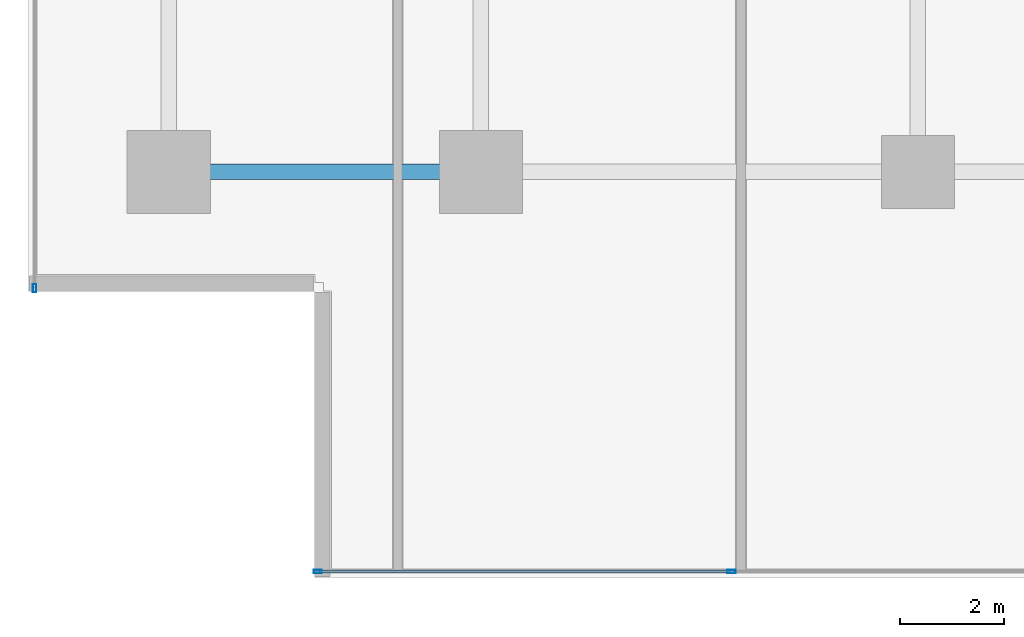
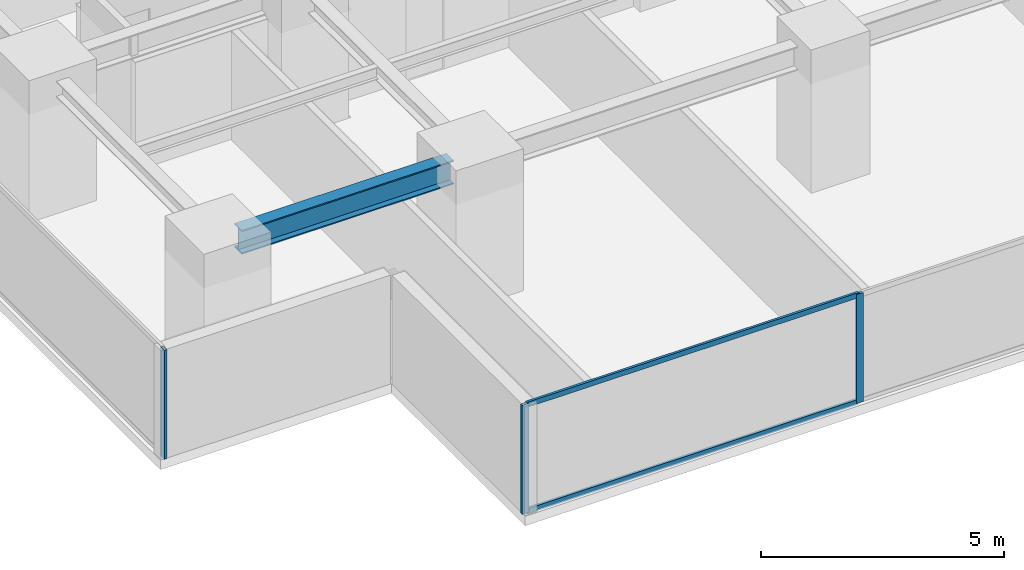
# One storey, part 2 of 35: 5 members, 1 beam, 2 elements without a shape of their own.
"""IFC4 building model written with IfcOpenShell, lengths in metres."""

from ifc_helpers import new_model, si_unit, direction, frame, origin, origin_2d, place, context, subcontext, project, spatial, hollow_rectangle, i_section, extrude, source, transform, mapped, material, layer, layer_set, material_profile, profile_set, type_object, element, aggregate, save


model = new_model("IFC4")

# Units and contexts
model_context = context("Model", 3, precision=1e-05, world=origin(), true_north=direction((0.0, 1.0)))
body_context = subcontext(model_context, "Body", "Model", "MODEL_VIEW")
ifc_project = project(units=[si_unit("LENGTHUNIT", "METRE"), si_unit("AREAUNIT", "SQUARE_METRE"), si_unit("VOLUMEUNIT", "CUBIC_METRE"), si_unit("PLANEANGLEUNIT", "RADIAN"), si_unit("MASSUNIT", "GRAM", prefix="KILO")], contexts=[model_context])

# Site, building, storey
site_placement = place(None, origin())
site = spatial("IfcSite", under=ifc_project, at=site_placement, CompositionType="ELEMENT")
building_placement = place(site_placement, origin())
building = spatial("IfcBuilding", under=site, at=building_placement, Name="Sumidabori Civic Tower", CompositionType="ELEMENT")
storey_placement = place(building_placement, frame((0.0, 0.0, 102.800048828125)))
storey = spatial("IfcBuildingStorey", under=building, at=storey_placement, Name="L26", CompositionType="ELEMENT", Elevation=102.800048828125)

# Beam
ifc_material_1 = material(Name="Steel SN490", Category="steel")
ifc_material_profile_1 = material_profile(ifc_material_1, i_section(OverallWidth=0.300048828125, OverallDepth=0.60009765625, WebThickness=0.015380859375, FlangeThickness=0.030029296875, at=origin_2d()), Name="HE 600 B")
ifc_profile_set_1 = profile_set([ifc_material_profile_1], Name="Steel SN490")
beam_type = type_object("IfcBeamType", Name="BM-GIRD-600", PredefinedType="BEAM", material=ifc_profile_set_1)
shared_shape_1 = source(origin(), body_context, "Body", "SweptSolid", [
    extrude(i_section(OverallWidth=0.300048828125, OverallDepth=0.60009765625, WebThickness=0.015380859375, FlangeThickness=0.030029296875, at=origin_2d()), origin(), (0.0, 0.0, 1.0), 5.0400390625),
])
beam_placement = place(storey_placement, frame((-22.320068359375, -18.0, 3.06005859375), z_axis=(1.0, 0.0, 0.0), x_axis=(0.0, 1.0, 0.0)))
element("IfcBeam", 1, at=beam_placement, inside=storey, type_object=beam_type, Name="Primary Girder L26 GX-01", PredefinedType="BEAM", context=body_context, shape_type="MappedRepresentation", body=[
    mapped(shared_shape_1, transform((0.0, 0.0, 0.0), x_axis=(1.0, 0.0, 0.0), y_axis=(0.0, 1.0, 0.0), z_axis=(0.0, 0.0, 1.0), scale=1.0)),
])

# Curtain wall, members
ifc_material_2 = material(Name="Anodised Bronze Aluminium AW-6063-T6", Category="aluminium")
ifc_layer = layer(ifc_material_2, 0.179931640625, Name="Anodised Bronze Aluminium AW-6063-T6")
ifc_layer_set = layer_set([ifc_layer], Name="Anodised Bronze Aluminium AW-6063-T6")
curtain_wall_type = type_object("IfcCurtainWallType", Name="CW-SYS-3", PredefinedType="NOTDEFINED", material=ifc_layer_set)
curtain_wall_1_placement = place(storey_placement, origin())
curtain_wall_1 = element("IfcCurtainWall", 2, at=curtain_wall_1_placement, inside=storey, type_object=curtain_wall_type, Name="Curtain Wall CW:L26:R01", PredefinedType="NOTDEFINED")
ifc_material_profile_2 = material_profile(ifc_material_2, hollow_rectangle(XDim=0.06494140625, YDim=0.159912109375, WallThickness=0.0048828125, at=origin_2d()), Name="ALU MULLION 160x65")
ifc_profile_set_2 = profile_set([ifc_material_profile_2], Name="Anodised Bronze Aluminium AW-6063-T6")
member_type_1 = type_object("IfcMemberType", Name="CW-MUL-160", PredefinedType="MULLION", material=ifc_profile_set_2)
shared_shape_2 = source(origin(), body_context, "Body", "SweptSolid", [
    extrude(hollow_rectangle(XDim=0.06494140625, YDim=0.159912109375, WallThickness=0.0048828125, at=origin_2d()), origin(), (0.0, 0.0, 1.0), 2.739990234375),
])
member_1_placement = place(storey_placement, frame((-19.9375, -25.679931640625, 0.0), z_axis=(0.0, 0.0, 1.0), x_axis=(0.0, 1.0, 0.0)))
member_1 = element("IfcMember", 3, at=member_1_placement, type_object=member_type_1, Name="CW-3 mullion 1", PredefinedType="MULLION", context=body_context, shape_type="MappedRepresentation", body=[
    mapped(shared_shape_2, transform((0.0, 0.0, 0.0), x_axis=(1.0, 0.0, 0.0), y_axis=(0.0, 1.0, 0.0), z_axis=(0.0, 0.0, 1.0), scale=1.0)),
])
member_2_placement = place(storey_placement, frame((-11.98193359375, -25.679931640625, 0.0), z_axis=(0.0, 0.0, 1.0), x_axis=(0.0, 1.0, 0.0)))
member_2 = element("IfcMember", 4, at=member_2_placement, type_object=member_type_1, Name="CW-3 mullion 2", PredefinedType="MULLION", context=body_context, shape_type="MappedRepresentation", body=[
    mapped(shared_shape_2, transform((0.0, 0.0, 0.0), x_axis=(1.0, 0.0, 0.0), y_axis=(0.0, 1.0, 0.0), z_axis=(0.0, 0.0, 1.0), scale=1.0)),
])

# Curtain wall, member
curtain_wall_2_placement = place(storey_placement, origin())
curtain_wall_2 = element("IfcCurtainWall", 5, at=curtain_wall_2_placement, inside=storey, type_object=curtain_wall_type, Name="Curtain Wall CW:L26:R10", PredefinedType="NOTDEFINED")
member_3_placement = place(storey_placement, frame((-25.3798828125, -20.237548828125, 0.0), z_axis=(0.0, 0.0, 1.0), x_axis=(1.0, 0.0, 0.0)))
member_3 = element("IfcMember", 6, at=member_3_placement, type_object=member_type_1, Name="CW-3 mullion 6", PredefinedType="MULLION", context=body_context, shape_type="MappedRepresentation", body=[
    mapped(shared_shape_2, transform((0.0, 0.0, 0.0), x_axis=(1.0, 0.0, 0.0), y_axis=(0.0, 1.0, 0.0), z_axis=(0.0, 0.0, 1.0), scale=1.0)),
])
aggregate(curtain_wall_2, [member_3])

# Member
ifc_material_profile_3 = material_profile(ifc_material_2, hollow_rectangle(XDim=0.06005859375, YDim=0.1298828125, WallThickness=0.0048828125, at=origin_2d()), Name="ALU TRANSOM 130x60")
ifc_profile_set_3 = profile_set([ifc_material_profile_3], Name="Anodised Bronze Aluminium AW-6063-T6")
member_type_2 = type_object("IfcMemberType", Name="CW-TRN-130", PredefinedType="USERDEFINED", material=ifc_profile_set_3)
shared_shape_3 = source(origin(), body_context, "Body", "SweptSolid", [
    extrude(hollow_rectangle(XDim=0.06005859375, YDim=0.1298828125, WallThickness=0.0048828125, at=origin_2d()), origin(), (0.0, 0.0, 1.0), 7.890625),
])
member_4_placement = place(storey_placement, frame((-19.905029296875, -25.679931640625, 0.030029296875), z_axis=(1.0, 0.0, 0.0), x_axis=(0.0, 1.0, 0.0)))
member_4 = element("IfcMember", 7, at=member_4_placement, type_object=member_type_2, Name="CW-3 transom 1.1", ObjectType="TRANSOM", PredefinedType="USERDEFINED", context=body_context, shape_type="MappedRepresentation", body=[
    mapped(shared_shape_3, transform((0.0, 0.0, 0.0), x_axis=(1.0, 0.0, 0.0), y_axis=(0.0, 1.0, 0.0), z_axis=(0.0, 0.0, 1.0), scale=1.0)),
])

member_5_placement = place(storey_placement, frame((-19.905029296875, -25.679931640625, 2.7099609375), z_axis=(1.0, 0.0, 0.0), x_axis=(0.0, 1.0, 0.0)))
member_5 = element("IfcMember", 8, at=member_5_placement, type_object=member_type_2, Name="CW-3 transom 1.2", ObjectType="TRANSOM", PredefinedType="USERDEFINED", context=body_context, shape_type="MappedRepresentation", body=[
    mapped(shared_shape_3, transform((0.0, 0.0, 0.0), x_axis=(1.0, 0.0, 0.0), y_axis=(0.0, 1.0, 0.0), z_axis=(0.0, 0.0, 1.0), scale=1.0)),
])

aggregate(curtain_wall_1, [member_1, member_2, member_4, member_5])

save(model, "model.ifc")
